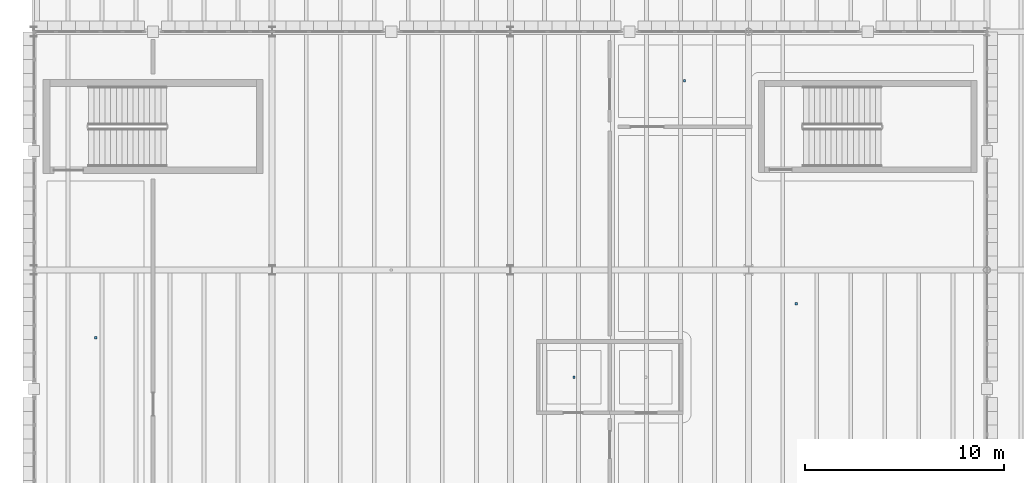
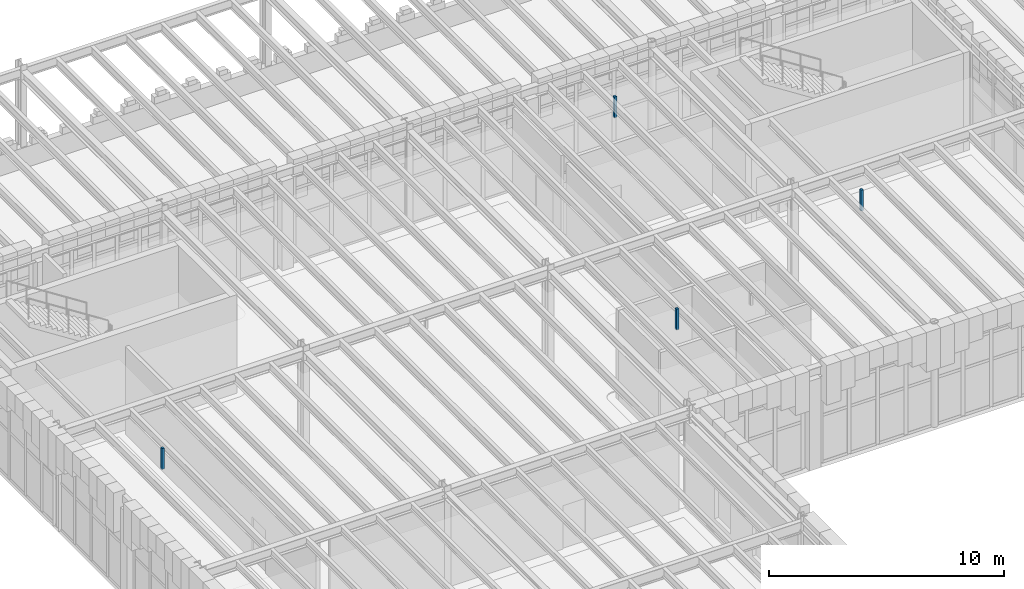
# One storey, part 65 of 100: 4 discrete accessories.
"""IFC4 building model written with IfcOpenShell, lengths in metres."""

from ifc_helpers import new_model, si_unit, direction, frame, origin, origin_2d, place, context, subcontext, project, spatial, rectangle, extrude, material, type_object, element, save


model = new_model("IFC4")

# Units and contexts
model_context = context("Model", 3, precision=1e-05, world=origin(), true_north=direction((0.0, 1.0)))
body_context = subcontext(model_context, "Body", "Model", "MODEL_VIEW")
ifc_project = project(units=[si_unit("LENGTHUNIT", "METRE"), si_unit("AREAUNIT", "SQUARE_METRE"), si_unit("VOLUMEUNIT", "CUBIC_METRE"), si_unit("PLANEANGLEUNIT", "RADIAN"), si_unit("MASSUNIT", "GRAM", prefix="KILO")], contexts=[model_context])

# Site, building, storey
site_placement = place(None, origin())
site = spatial("IfcSite", under=ifc_project, at=site_placement, CompositionType="ELEMENT")
building_placement = place(site_placement, origin())
building = spatial("IfcBuilding", under=site, at=building_placement, Name="Zlatogorsky Bluff Art Gallery", CompositionType="ELEMENT")
storey_placement = place(building_placement, frame((0.0, 0.0, 5.39990234375)))
storey = spatial("IfcBuildingStorey", under=building, at=storey_placement, Name="L01", CompositionType="ELEMENT", Elevation=5.39990234375)

# Discrete accessories
ifc_material = material(Name="Steel S355", Category="steel")
discrete_accessory_type = type_object("IfcDiscreteAccessoryType", Name="Stainless Facade Fin Bracket BRK-01", PredefinedType="BRACKET", material=ifc_material)
for number, where, z_axis, x_axis, name in (
    (1, (27.199951171875, 90.60009765625, 4.05517578125), (0.0, 0.0, 1.0), (1.0, 0.0, 0.0), "Acoustic ceiling suspension hanger L01-WC"),
    (2, (3.110107421875, 92.580078125, 4.05517578125), (0.0, 0.0, 1.0), (1.0, 0.0, 0.0), "Acoustic ceiling suspension hanger L01-E2-11"),
    (3, (38.389892578125, 94.31005859375, 4.05517578125), (0.0, 0.0, 1.0), (1.0, 0.0, 0.0), "Acoustic ceiling suspension hanger L01-E2-13"),
    (4, (32.7705078125, 105.523193359375, 4.05517578125), (0.0, 0.0, 1.0), (1.0, 0.0, 0.0), "Acoustic ceiling suspension hanger L01-E2-14"),
):
    element("IfcDiscreteAccessory", number, at=place(storey_placement, frame(where, z_axis=z_axis, x_axis=x_axis)), inside=storey, type_object=discrete_accessory_type, Name=name, PredefinedType="BRACKET", context=body_context, shape_type="SweptSolid", body=[
        extrude(rectangle(XDim=0.1201171875, YDim=0.1201171875, at=origin_2d()), origin(), (0.0, 0.0, 1.0), 1.080078125),
    ])

save(model, "model.ifc")
